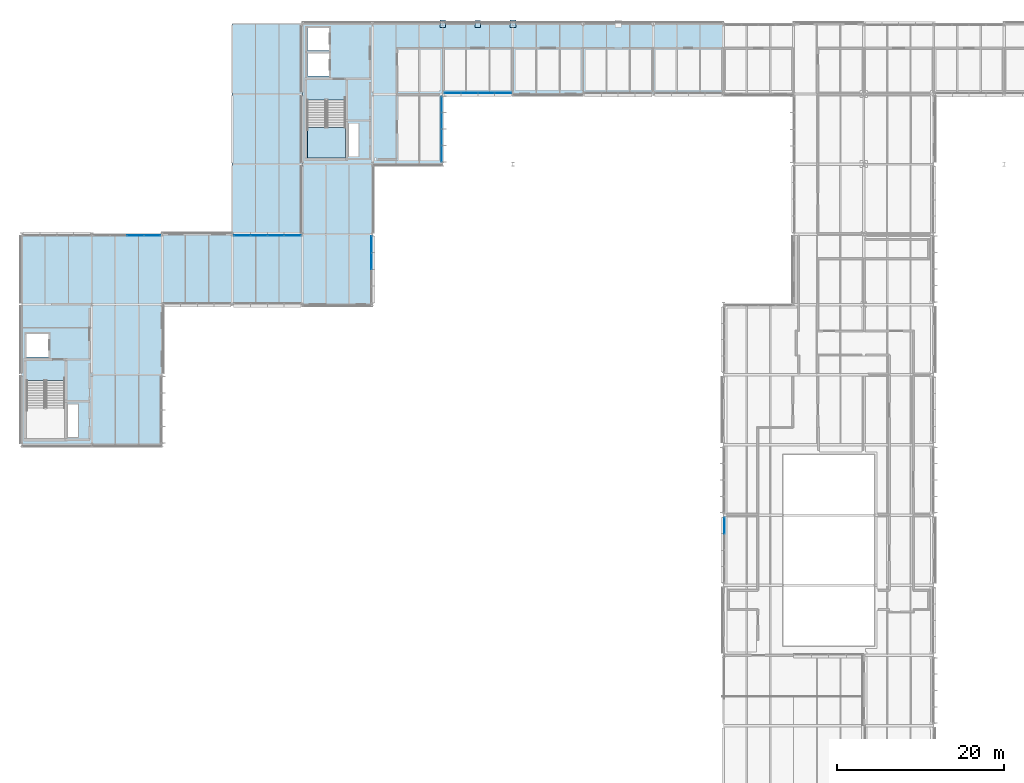
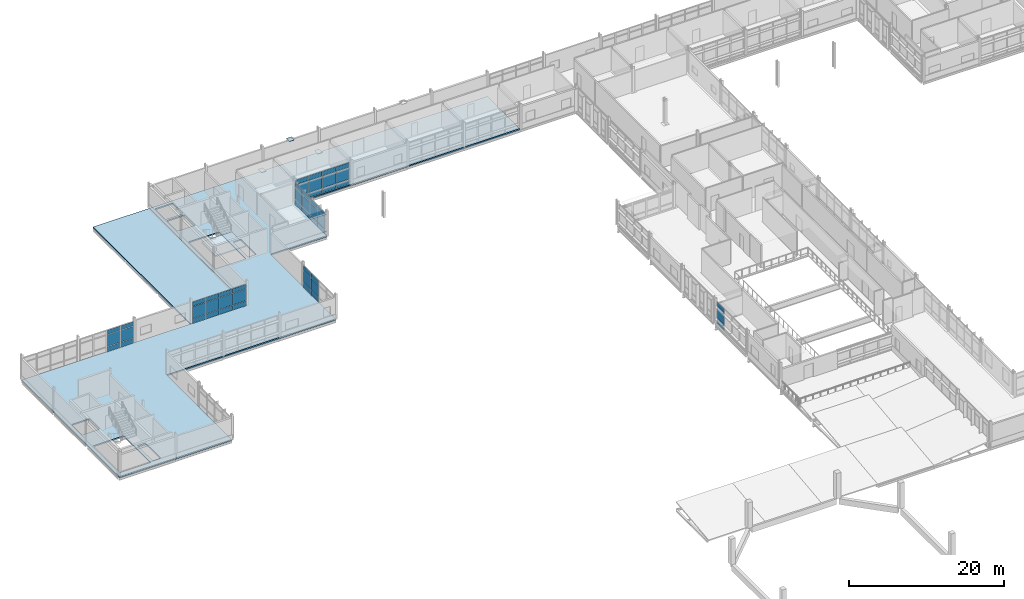
# One storey, part 98 of 131: 54 plates, 3 slabs, 7 elements without a shape of their own.
"""IFC4 building model written with IfcOpenShell, lengths in metres."""

from ifc_helpers import new_model, si_unit, direction, frame, origin, origin_2d, place, context, subcontext, project, spatial, polyline, rectangle, outline, extrude, material, layer, layer_set, type_object, element, aggregate, save


model = new_model("IFC4")

# Units and contexts
model_context = context("Model", 3, precision=1e-05, world=origin(), true_north=direction((0.0, 1.0)))
body_context = subcontext(model_context, "Body", "Model", "MODEL_VIEW")
ifc_project = project(units=[si_unit("LENGTHUNIT", "METRE"), si_unit("AREAUNIT", "SQUARE_METRE"), si_unit("VOLUMEUNIT", "CUBIC_METRE"), si_unit("PLANEANGLEUNIT", "RADIAN"), si_unit("MASSUNIT", "GRAM", prefix="KILO")], contexts=[model_context])

# Site, building, storey
site_placement = place(None, origin())
site = spatial("IfcSite", under=ifc_project, at=site_placement, CompositionType="ELEMENT")
building_placement = place(site_placement, origin())
building = spatial("IfcBuilding", under=site, at=building_placement, Name="Mersafa Astral City Hall", CompositionType="ELEMENT")
storey_placement = place(building_placement, frame((0.0, 0.0, 13.949951171875)))
storey = spatial("IfcBuildingStorey", under=building, at=storey_placement, Name="L03", CompositionType="ELEMENT", Elevation=13.949951171875)

# Curtain wall, plates
ifc_material_1 = material(Name="Anodised bronze aluminium framing", Category="aluminium")
curtain_wall_type_1 = type_object("IfcCurtainWallType", Name="ENV-CW-5", PredefinedType="USERDEFINED", material=ifc_material_1)
curtain_wall_1_placement = place(storey_placement, origin())
curtain_wall_1 = element("IfcCurtainWall", 1, at=curtain_wall_1_placement, inside=storey, type_object=curtain_wall_type_1, Name="L03 Unitised solar curtain wall 172", ObjectType="UNITISED CURTAIN WALL", PredefinedType="USERDEFINED")
ifc_material_2 = material(Name="Solar control low-e double glazing", Category="glass")
ifc_layer_1 = layer(ifc_material_2, 0.028076171875, Name="Solar control low-e double glazing")
ifc_layer_set_1 = layer_set([ifc_layer_1], Name="Solar control low-e double glazing — ENV-CW-PNL-GLZ-1")
plate_type_1 = type_object("IfcPlateType", Name="ENV-CW-PNL-GLZ-1", PredefinedType="CURTAIN_PANEL", material=ifc_layer_set_1)
plate_1_placement = place(storey_placement, frame((24.013427734375, 100.679931640625, 0.05810546875), z_axis=(0.0, 0.0, 1.0), x_axis=(-1.0, 0.0, 0.0)))
plate_1 = element("IfcPlate", 2, at=plate_1_placement, type_object=plate_type_1, Name="CW-5 panel 1.1", PredefinedType="CURTAIN_PANEL", context=body_context, shape_type="SweptSolid", body=[
    extrude(rectangle(XDim=1.928955078125, YDim=0.028076171875, at=origin_2d()), origin(), (0.0, 0.0, 1.0), 0.761962890625),
])
plate_2_placement = place(storey_placement, frame((24.013427734375, 100.679931640625, 0.8798828125), z_axis=(0.0, 0.0, 1.0), x_axis=(-1.0, 0.0, 0.0)))
plate_2 = element("IfcPlate", 3, at=plate_2_placement, type_object=plate_type_1, Name="CW-5 panel 1.2", PredefinedType="CURTAIN_PANEL", context=body_context, shape_type="SweptSolid", body=[
    extrude(rectangle(XDim=1.928955078125, YDim=0.028076171875, at=origin_2d()), origin(), (0.0, 0.0, 1.0), 1.840087890625),
])
plate_3_placement = place(storey_placement, frame((24.013427734375, 100.679931640625, 2.780029296875), z_axis=(0.0, 0.0, 1.0), x_axis=(-1.0, 0.0, 0.0)))
plate_3 = element("IfcPlate", 4, at=plate_3_placement, type_object=plate_type_1, Name="CW-5 panel 1.3", PredefinedType="CURTAIN_PANEL", context=body_context, shape_type="SweptSolid", body=[
    extrude(rectangle(XDim=1.928955078125, YDim=0.028076171875, at=origin_2d()), origin(), (0.0, 0.0, 1.0), 0.662109375),
])
plate_4_placement = place(storey_placement, frame((22.009521484375, 100.679931640625, 0.05810546875), z_axis=(0.0, 0.0, 1.0), x_axis=(-1.0, 0.0, 0.0)))
plate_4 = element("IfcPlate", 5, at=plate_4_placement, type_object=plate_type_1, Name="CW-5 panel 2.1", PredefinedType="CURTAIN_PANEL", context=body_context, shape_type="SweptSolid", body=[
    extrude(rectangle(XDim=1.958984375, YDim=0.028076171875, at=origin_2d()), origin(), (0.0, 0.0, 1.0), 0.761962890625),
])
plate_5_placement = place(storey_placement, frame((22.009521484375, 100.679931640625, 0.8798828125), z_axis=(0.0, 0.0, 1.0), x_axis=(-1.0, 0.0, 0.0)))
plate_5 = element("IfcPlate", 6, at=plate_5_placement, type_object=plate_type_1, Name="CW-5 panel 2.2", PredefinedType="CURTAIN_PANEL", context=body_context, shape_type="SweptSolid", body=[
    extrude(rectangle(XDim=1.958984375, YDim=0.028076171875, at=origin_2d()), origin(), (0.0, 0.0, 1.0), 1.840087890625),
])
plate_6_placement = place(storey_placement, frame((22.009521484375, 100.679931640625, 2.780029296875), z_axis=(0.0, 0.0, 1.0), x_axis=(-1.0, 0.0, 0.0)))
plate_6 = element("IfcPlate", 7, at=plate_6_placement, type_object=plate_type_1, Name="CW-5 panel 2.3", PredefinedType="CURTAIN_PANEL", context=body_context, shape_type="SweptSolid", body=[
    extrude(rectangle(XDim=1.958984375, YDim=0.028076171875, at=origin_2d()), origin(), (0.0, 0.0, 1.0), 0.662109375),
])
aggregate(curtain_wall_1, [plate_1, plate_2, plate_3, plate_4, plate_5, plate_6])

curtain_wall_type_2 = type_object("IfcCurtainWallType", Name="ENV-CW-4", PredefinedType="USERDEFINED", material=ifc_material_1)
curtain_wall_2_placement = place(storey_placement, origin())
curtain_wall_2 = element("IfcCurtainWall", 8, at=curtain_wall_2_placement, inside=storey, type_object=curtain_wall_type_2, Name="L03 Unitised solar curtain wall 177", ObjectType="UNITISED CURTAIN WALL", PredefinedType="USERDEFINED")
ifc_layer_2 = layer(ifc_material_2, 0.031982421875, Name="Solar control low-e double glazing")
ifc_layer_set_2 = layer_set([ifc_layer_2], Name="Solar control low-e double glazing — ENV-CW-PNL-GLZ-2")
plate_type_2 = type_object("IfcPlateType", Name="ENV-CW-PNL-GLZ-2", PredefinedType="CURTAIN_PANEL", material=ifc_layer_set_2)
plate_7_placement = place(storey_placement, frame((50.280029296875, 97.59814453125, 0.05810546875), z_axis=(0.0, 0.0, 1.0), x_axis=(0.0, 1.0, 0.0)))
plate_7 = element("IfcPlate", 9, at=plate_7_placement, type_object=plate_type_2, Name="CW-4 panel 3.1", PredefinedType="CURTAIN_PANEL", context=body_context, shape_type="SweptSolid", body=[
    extrude(rectangle(XDim=1.946533203125, YDim=0.031982421875, at=origin_2d()), origin(), (0.0, 0.0, 1.0), 0.761962890625),
])
plate_8_placement = place(storey_placement, frame((50.280029296875, 97.59814453125, 0.8798828125), z_axis=(0.0, 0.0, 1.0), x_axis=(0.0, 1.0, 0.0)))
plate_8 = element("IfcPlate", 10, at=plate_8_placement, type_object=plate_type_2, Name="CW-4 panel 3.2", PredefinedType="CURTAIN_PANEL", context=body_context, shape_type="SweptSolid", body=[
    extrude(rectangle(XDim=1.946533203125, YDim=0.031982421875, at=origin_2d()), origin(), (0.0, 0.0, 1.0), 1.840087890625),
])
plate_9_placement = place(storey_placement, frame((50.280029296875, 97.59814453125, 2.780029296875), z_axis=(0.0, 0.0, 1.0), x_axis=(0.0, 1.0, 0.0)))
plate_9 = element("IfcPlate", 11, at=plate_9_placement, type_object=plate_type_2, Name="CW-4 panel 3.3", PredefinedType="CURTAIN_PANEL", context=body_context, shape_type="SweptSolid", body=[
    extrude(rectangle(XDim=1.946533203125, YDim=0.031982421875, at=origin_2d()), origin(), (0.0, 0.0, 1.0), 0.751953125),
])
plate_10_placement = place(storey_placement, frame((50.280029296875, 99.58984375, 0.05810546875), z_axis=(0.0, 0.0, 1.0), x_axis=(0.0, 1.0, 0.0)))
plate_10 = element("IfcPlate", 12, at=plate_10_placement, type_object=plate_type_2, Name="CW-4 panel 4.1", PredefinedType="CURTAIN_PANEL", context=body_context, shape_type="SweptSolid", body=[
    extrude(rectangle(XDim=1.91650390625, YDim=0.031982421875, at=origin_2d()), origin(), (0.0, 0.0, 1.0), 0.761962890625),
])
plate_11_placement = place(storey_placement, frame((50.280029296875, 99.58984375, 0.8798828125), z_axis=(0.0, 0.0, 1.0), x_axis=(0.0, 1.0, 0.0)))
plate_11 = element("IfcPlate", 13, at=plate_11_placement, type_object=plate_type_2, Name="CW-4 panel 4.2", PredefinedType="CURTAIN_PANEL", context=body_context, shape_type="SweptSolid", body=[
    extrude(rectangle(XDim=1.91650390625, YDim=0.031982421875, at=origin_2d()), origin(), (0.0, 0.0, 1.0), 1.840087890625),
])
plate_12_placement = place(storey_placement, frame((50.280029296875, 99.58984375, 2.780029296875), z_axis=(0.0, 0.0, 1.0), x_axis=(0.0, 1.0, 0.0)))
plate_12 = element("IfcPlate", 14, at=plate_12_placement, type_object=plate_type_2, Name="CW-4 panel 4.3", PredefinedType="CURTAIN_PANEL", context=body_context, shape_type="SweptSolid", body=[
    extrude(rectangle(XDim=1.91650390625, YDim=0.031982421875, at=origin_2d()), origin(), (0.0, 0.0, 1.0), 0.751953125),
])
aggregate(curtain_wall_2, [plate_7, plate_8, plate_9, plate_10, plate_11, plate_12])

curtain_wall_3_placement = place(storey_placement, origin())
curtain_wall_3 = element("IfcCurtainWall", 15, at=curtain_wall_3_placement, inside=storey, type_object=curtain_wall_type_1, Name="L03 Unitised solar curtain wall 178", ObjectType="UNITISED CURTAIN WALL", PredefinedType="USERDEFINED")
ifc_layer_3 = layer(ifc_material_2, 0.035888671875, Name="Solar control low-e double glazing")
ifc_layer_set_3 = layer_set([ifc_layer_3], Name="Solar control low-e double glazing — ENV-CW-PNL-GLZ-3")
plate_type_3 = type_object("IfcPlateType", Name="ENV-CW-PNL-GLZ-3", PredefinedType="CURTAIN_PANEL", material=ifc_layer_set_3)
plate_13_placement = place(storey_placement, frame((58.679931640625, 110.44287109375, 0.05810546875), z_axis=(0.0, 0.0, 1.0), x_axis=(0.0, 1.0, 0.0)))
plate_13 = element("IfcPlate", 16, at=plate_13_placement, type_object=plate_type_3, Name="CW-5 panel 1.1", PredefinedType="CURTAIN_PANEL", context=body_context, shape_type="SweptSolid", body=[
    extrude(rectangle(XDim=1.8916015625, YDim=0.035888671875, at=origin_2d()), origin(), (0.0, 0.0, 1.0), 0.761962890625),
])
plate_14_placement = place(storey_placement, frame((58.679931640625, 110.44287109375, 0.8798828125), z_axis=(0.0, 0.0, 1.0), x_axis=(0.0, 1.0, 0.0)))
plate_14 = element("IfcPlate", 17, at=plate_14_placement, type_object=plate_type_3, Name="CW-5 panel 1.2", PredefinedType="CURTAIN_PANEL", context=body_context, shape_type="SweptSolid", body=[
    extrude(rectangle(XDim=1.8916015625, YDim=0.035888671875, at=origin_2d()), origin(), (0.0, 0.0, 1.0), 1.840087890625),
])
plate_15_placement = place(storey_placement, frame((58.679931640625, 110.44287109375, 2.780029296875), z_axis=(0.0, 0.0, 1.0), x_axis=(0.0, 1.0, 0.0)))
plate_15 = element("IfcPlate", 18, at=plate_15_placement, type_object=plate_type_3, Name="CW-5 panel 1.3", PredefinedType="CURTAIN_PANEL", context=body_context, shape_type="SweptSolid", body=[
    extrude(rectangle(XDim=1.8916015625, YDim=0.035888671875, at=origin_2d()), origin(), (0.0, 0.0, 1.0), 0.662109375),
])
plate_16_placement = place(storey_placement, frame((58.679931640625, 112.4091796875, 0.05810546875), z_axis=(0.0, 0.0, 1.0), x_axis=(0.0, 1.0, 0.0)))
plate_16 = element("IfcPlate", 19, at=plate_16_placement, type_object=plate_type_3, Name="CW-5 panel 2.1", PredefinedType="CURTAIN_PANEL", context=body_context, shape_type="SweptSolid", body=[
    extrude(rectangle(XDim=1.92138671875, YDim=0.035888671875, at=origin_2d()), origin(), (0.0, 0.0, 1.0), 0.761962890625),
])
plate_17_placement = place(storey_placement, frame((58.679931640625, 112.4091796875, 0.8798828125), z_axis=(0.0, 0.0, 1.0), x_axis=(0.0, 1.0, 0.0)))
plate_17 = element("IfcPlate", 20, at=plate_17_placement, type_object=plate_type_3, Name="CW-5 panel 2.2", PredefinedType="CURTAIN_PANEL", context=body_context, shape_type="SweptSolid", body=[
    extrude(rectangle(XDim=1.92138671875, YDim=0.035888671875, at=origin_2d()), origin(), (0.0, 0.0, 1.0), 1.840087890625),
])
plate_18_placement = place(storey_placement, frame((58.679931640625, 112.4091796875, 2.780029296875), z_axis=(0.0, 0.0, 1.0), x_axis=(0.0, 1.0, 0.0)))
plate_18 = element("IfcPlate", 21, at=plate_18_placement, type_object=plate_type_3, Name="CW-5 panel 2.3", PredefinedType="CURTAIN_PANEL", context=body_context, shape_type="SweptSolid", body=[
    extrude(rectangle(XDim=1.92138671875, YDim=0.035888671875, at=origin_2d()), origin(), (0.0, 0.0, 1.0), 0.662109375),
])
plate_19_placement = place(storey_placement, frame((58.679931640625, 114.390869140625, 0.05810546875), z_axis=(0.0, 0.0, 1.0), x_axis=(0.0, 1.0, 0.0)))
plate_19 = element("IfcPlate", 22, at=plate_19_placement, type_object=plate_type_3, Name="CW-5 panel 3.1", PredefinedType="CURTAIN_PANEL", context=body_context, shape_type="SweptSolid", body=[
    extrude(rectangle(XDim=1.92138671875, YDim=0.035888671875, at=origin_2d()), origin(), (0.0, 0.0, 1.0), 0.761962890625),
])
plate_20_placement = place(storey_placement, frame((58.679931640625, 114.390869140625, 0.8798828125), z_axis=(0.0, 0.0, 1.0), x_axis=(0.0, 1.0, 0.0)))
plate_20 = element("IfcPlate", 23, at=plate_20_placement, type_object=plate_type_3, Name="CW-5 panel 3.2", PredefinedType="CURTAIN_PANEL", context=body_context, shape_type="SweptSolid", body=[
    extrude(rectangle(XDim=1.92138671875, YDim=0.035888671875, at=origin_2d()), origin(), (0.0, 0.0, 1.0), 1.840087890625),
])
plate_21_placement = place(storey_placement, frame((58.679931640625, 114.390869140625, 2.780029296875), z_axis=(0.0, 0.0, 1.0), x_axis=(0.0, 1.0, 0.0)))
plate_21 = element("IfcPlate", 24, at=plate_21_placement, type_object=plate_type_3, Name="CW-5 panel 3.3", PredefinedType="CURTAIN_PANEL", context=body_context, shape_type="SweptSolid", body=[
    extrude(rectangle(XDim=1.92138671875, YDim=0.035888671875, at=origin_2d()), origin(), (0.0, 0.0, 1.0), 0.662109375),
])
plate_22_placement = place(storey_placement, frame((58.679931640625, 116.357177734375, 0.05810546875), z_axis=(0.0, 0.0, 1.0), x_axis=(0.0, 1.0, 0.0)))
plate_22 = element("IfcPlate", 25, at=plate_22_placement, type_object=plate_type_3, Name="CW-5 panel 4.1", PredefinedType="CURTAIN_PANEL", context=body_context, shape_type="SweptSolid", body=[
    extrude(rectangle(XDim=1.8916015625, YDim=0.035888671875, at=origin_2d()), origin(), (0.0, 0.0, 1.0), 0.761962890625),
])
plate_23_placement = place(storey_placement, frame((58.679931640625, 116.357177734375, 0.8798828125), z_axis=(0.0, 0.0, 1.0), x_axis=(0.0, 1.0, 0.0)))
plate_23 = element("IfcPlate", 26, at=plate_23_placement, type_object=plate_type_3, Name="CW-5 panel 4.2", PredefinedType="CURTAIN_PANEL", context=body_context, shape_type="SweptSolid", body=[
    extrude(rectangle(XDim=1.8916015625, YDim=0.035888671875, at=origin_2d()), origin(), (0.0, 0.0, 1.0), 1.840087890625),
])
plate_24_placement = place(storey_placement, frame((58.679931640625, 116.357177734375, 2.780029296875), z_axis=(0.0, 0.0, 1.0), x_axis=(0.0, 1.0, 0.0)))
plate_24 = element("IfcPlate", 27, at=plate_24_placement, type_object=plate_type_3, Name="CW-5 panel 4.3", PredefinedType="CURTAIN_PANEL", context=body_context, shape_type="SweptSolid", body=[
    extrude(rectangle(XDim=1.8916015625, YDim=0.035888671875, at=origin_2d()), origin(), (0.0, 0.0, 1.0), 0.662109375),
])
aggregate(curtain_wall_3, [plate_13, plate_14, plate_15, plate_16, plate_17, plate_18, plate_19, plate_20, plate_21, plate_22, plate_23, plate_24])

curtain_wall_4_placement = place(storey_placement, origin())
curtain_wall_4 = element("IfcCurtainWall", 28, at=curtain_wall_4_placement, inside=storey, type_object=curtain_wall_type_2, Name="L03 Unitised solar curtain wall 171", ObjectType="UNITISED CURTAIN WALL", PredefinedType="USERDEFINED")
ifc_layer_4 = layer(ifc_material_2, 0.0400390625, Name="Solar control low-e double glazing")
ifc_layer_set_4 = layer_set([ifc_layer_4], Name="Solar control low-e double glazing — ENV-CW-PNL-GLZ-4")
plate_type_4 = type_object("IfcPlateType", Name="ENV-CW-PNL-GLZ-4", PredefinedType="CURTAIN_PANEL", material=ifc_layer_set_4)
plate_25_placement = place(storey_placement, frame((40.8134765625, 100.679931640625, 0.05810546875), z_axis=(0.0, 0.0, 1.0), x_axis=(-1.0, 0.0, 0.0)))
plate_25 = element("IfcPlate", 29, at=plate_25_placement, type_object=plate_type_4, Name="CW-4 panel 1.1", PredefinedType="CURTAIN_PANEL", context=body_context, shape_type="SweptSolid", body=[
    extrude(rectangle(XDim=1.928955078125, YDim=0.0400390625, at=origin_2d()), origin(), (0.0, 0.0, 1.0), 0.761962890625),
])
plate_26_placement = place(storey_placement, frame((40.8134765625, 100.679931640625, 0.8798828125), z_axis=(0.0, 0.0, 1.0), x_axis=(-1.0, 0.0, 0.0)))
plate_26 = element("IfcPlate", 30, at=plate_26_placement, type_object=plate_type_4, Name="CW-4 panel 1.2", PredefinedType="CURTAIN_PANEL", context=body_context, shape_type="SweptSolid", body=[
    extrude(rectangle(XDim=1.928955078125, YDim=0.0400390625, at=origin_2d()), origin(), (0.0, 0.0, 1.0), 1.840087890625),
])
plate_27_placement = place(storey_placement, frame((40.8134765625, 100.679931640625, 2.780029296875), z_axis=(0.0, 0.0, 1.0), x_axis=(-1.0, 0.0, 0.0)))
plate_27 = element("IfcPlate", 31, at=plate_27_placement, type_object=plate_type_4, Name="CW-4 panel 1.3", PredefinedType="CURTAIN_PANEL", context=body_context, shape_type="SweptSolid", body=[
    extrude(rectangle(XDim=1.928955078125, YDim=0.0400390625, at=origin_2d()), origin(), (0.0, 0.0, 1.0), 0.662109375),
])
plate_28_placement = place(storey_placement, frame((38.8095703125, 100.679931640625, 0.05810546875), z_axis=(0.0, 0.0, 1.0), x_axis=(-1.0, 0.0, 0.0)))
plate_28 = element("IfcPlate", 32, at=plate_28_placement, type_object=plate_type_4, Name="CW-4 panel 2.1", PredefinedType="CURTAIN_PANEL", context=body_context, shape_type="SweptSolid", body=[
    extrude(rectangle(XDim=1.958984375, YDim=0.0400390625, at=origin_2d()), origin(), (0.0, 0.0, 1.0), 0.761962890625),
])
plate_29_placement = place(storey_placement, frame((38.8095703125, 100.679931640625, 0.8798828125), z_axis=(0.0, 0.0, 1.0), x_axis=(-1.0, 0.0, 0.0)))
plate_29 = element("IfcPlate", 33, at=plate_29_placement, type_object=plate_type_4, Name="CW-4 panel 2.2", PredefinedType="CURTAIN_PANEL", context=body_context, shape_type="SweptSolid", body=[
    extrude(rectangle(XDim=1.958984375, YDim=0.0400390625, at=origin_2d()), origin(), (0.0, 0.0, 1.0), 1.840087890625),
])
plate_30_placement = place(storey_placement, frame((38.8095703125, 100.679931640625, 2.780029296875), z_axis=(0.0, 0.0, 1.0), x_axis=(-1.0, 0.0, 0.0)))
plate_30 = element("IfcPlate", 34, at=plate_30_placement, type_object=plate_type_4, Name="CW-4 panel 2.3", PredefinedType="CURTAIN_PANEL", context=body_context, shape_type="SweptSolid", body=[
    extrude(rectangle(XDim=1.958984375, YDim=0.0400390625, at=origin_2d()), origin(), (0.0, 0.0, 1.0), 0.662109375),
])
plate_31_placement = place(storey_placement, frame((36.79052734375, 100.679931640625, 0.05810546875), z_axis=(0.0, 0.0, 1.0), x_axis=(-1.0, 0.0, 0.0)))
plate_31 = element("IfcPlate", 35, at=plate_31_placement, type_object=plate_type_4, Name="CW-4 panel 3.1", PredefinedType="CURTAIN_PANEL", context=body_context, shape_type="SweptSolid", body=[
    extrude(rectangle(XDim=1.958984375, YDim=0.0400390625, at=origin_2d()), origin(), (0.0, 0.0, 1.0), 0.761962890625),
])
plate_32_placement = place(storey_placement, frame((36.79052734375, 100.679931640625, 0.8798828125), z_axis=(0.0, 0.0, 1.0), x_axis=(-1.0, 0.0, 0.0)))
plate_32 = element("IfcPlate", 36, at=plate_32_placement, type_object=plate_type_4, Name="CW-4 panel 3.2", PredefinedType="CURTAIN_PANEL", context=body_context, shape_type="SweptSolid", body=[
    extrude(rectangle(XDim=1.958984375, YDim=0.0400390625, at=origin_2d()), origin(), (0.0, 0.0, 1.0), 1.840087890625),
])
plate_33_placement = place(storey_placement, frame((36.79052734375, 100.679931640625, 2.780029296875), z_axis=(0.0, 0.0, 1.0), x_axis=(-1.0, 0.0, 0.0)))
plate_33 = element("IfcPlate", 37, at=plate_33_placement, type_object=plate_type_4, Name="CW-4 panel 3.3", PredefinedType="CURTAIN_PANEL", context=body_context, shape_type="SweptSolid", body=[
    extrude(rectangle(XDim=1.958984375, YDim=0.0400390625, at=origin_2d()), origin(), (0.0, 0.0, 1.0), 0.662109375),
])
plate_34_placement = place(storey_placement, frame((34.78662109375, 100.679931640625, 0.05810546875), z_axis=(0.0, 0.0, 1.0), x_axis=(-1.0, 0.0, 0.0)))
plate_34 = element("IfcPlate", 38, at=plate_34_placement, type_object=plate_type_4, Name="CW-4 panel 4.1", PredefinedType="CURTAIN_PANEL", context=body_context, shape_type="SweptSolid", body=[
    extrude(rectangle(XDim=1.928955078125, YDim=0.0400390625, at=origin_2d()), origin(), (0.0, 0.0, 1.0), 0.761962890625),
])
plate_35_placement = place(storey_placement, frame((34.78662109375, 100.679931640625, 0.8798828125), z_axis=(0.0, 0.0, 1.0), x_axis=(-1.0, 0.0, 0.0)))
plate_35 = element("IfcPlate", 39, at=plate_35_placement, type_object=plate_type_4, Name="CW-4 panel 4.2", PredefinedType="CURTAIN_PANEL", context=body_context, shape_type="SweptSolid", body=[
    extrude(rectangle(XDim=1.928955078125, YDim=0.0400390625, at=origin_2d()), origin(), (0.0, 0.0, 1.0), 1.840087890625),
])
plate_36_placement = place(storey_placement, frame((34.78662109375, 100.679931640625, 2.780029296875), z_axis=(0.0, 0.0, 1.0), x_axis=(-1.0, 0.0, 0.0)))
plate_36 = element("IfcPlate", 40, at=plate_36_placement, type_object=plate_type_4, Name="CW-4 panel 4.3", PredefinedType="CURTAIN_PANEL", context=body_context, shape_type="SweptSolid", body=[
    extrude(rectangle(XDim=1.928955078125, YDim=0.0400390625, at=origin_2d()), origin(), (0.0, 0.0, 1.0), 0.662109375),
])
aggregate(curtain_wall_4, [plate_25, plate_26, plate_27, plate_28, plate_29, plate_30, plate_31, plate_32, plate_33, plate_34, plate_35, plate_36])

curtain_wall_type_3 = type_object("IfcCurtainWallType", Name="ENV-CW-6", PredefinedType="USERDEFINED", material=ifc_material_1)
curtain_wall_5_placement = place(storey_placement, origin())
curtain_wall_5 = element("IfcCurtainWall", 41, at=curtain_wall_5_placement, inside=storey, type_object=curtain_wall_type_3, Name="L03 Unitised solar curtain wall 179", ObjectType="UNITISED CURTAIN WALL", PredefinedType="USERDEFINED")
plate_37_placement = place(storey_placement, frame((59.986572265625, 117.719970703125, 0.05810546875), z_axis=(0.0, 0.0, 1.0), x_axis=(1.0, 0.0, 0.0)))
plate_37 = element("IfcPlate", 42, at=plate_37_placement, type_object=plate_type_4, Name="CW-6 panel 1.1", PredefinedType="CURTAIN_PANEL", context=body_context, shape_type="SweptSolid", body=[
    extrude(rectangle(XDim=1.928955078125, YDim=0.0400390625, at=origin_2d()), origin(), (0.0, 0.0, 1.0), 0.761962890625),
])
plate_38_placement = place(storey_placement, frame((59.986572265625, 117.719970703125, 0.8798828125), z_axis=(0.0, 0.0, 1.0), x_axis=(1.0, 0.0, 0.0)))
plate_38 = element("IfcPlate", 43, at=plate_38_placement, type_object=plate_type_4, Name="CW-6 panel 1.2", PredefinedType="CURTAIN_PANEL", context=body_context, shape_type="SweptSolid", body=[
    extrude(rectangle(XDim=1.928955078125, YDim=0.0400390625, at=origin_2d()), origin(), (0.0, 0.0, 1.0), 1.840087890625),
])
plate_39_placement = place(storey_placement, frame((59.986572265625, 117.719970703125, 2.780029296875), z_axis=(0.0, 0.0, 1.0), x_axis=(1.0, 0.0, 0.0)))
plate_39 = element("IfcPlate", 44, at=plate_39_placement, type_object=plate_type_4, Name="CW-6 panel 1.3", PredefinedType="CURTAIN_PANEL", context=body_context, shape_type="SweptSolid", body=[
    extrude(rectangle(XDim=1.928955078125, YDim=0.0400390625, at=origin_2d()), origin(), (0.0, 0.0, 1.0), 0.69189453125),
])
plate_40_placement = place(storey_placement, frame((61.990478515625, 117.719970703125, 0.05810546875), z_axis=(0.0, 0.0, 1.0), x_axis=(1.0, 0.0, 0.0)))
plate_40 = element("IfcPlate", 45, at=plate_40_placement, type_object=plate_type_4, Name="CW-6 panel 2.1", PredefinedType="CURTAIN_PANEL", context=body_context, shape_type="SweptSolid", body=[
    extrude(rectangle(XDim=1.958984375, YDim=0.0400390625, at=origin_2d()), origin(), (0.0, 0.0, 1.0), 0.761962890625),
])
plate_41_placement = place(storey_placement, frame((61.990478515625, 117.719970703125, 0.8798828125), z_axis=(0.0, 0.0, 1.0), x_axis=(1.0, 0.0, 0.0)))
plate_41 = element("IfcPlate", 46, at=plate_41_placement, type_object=plate_type_4, Name="CW-6 panel 2.2", PredefinedType="CURTAIN_PANEL", context=body_context, shape_type="SweptSolid", body=[
    extrude(rectangle(XDim=1.958984375, YDim=0.0400390625, at=origin_2d()), origin(), (0.0, 0.0, 1.0), 1.840087890625),
])
plate_42_placement = place(storey_placement, frame((61.990478515625, 117.719970703125, 2.780029296875), z_axis=(0.0, 0.0, 1.0), x_axis=(1.0, 0.0, 0.0)))
plate_42 = element("IfcPlate", 47, at=plate_42_placement, type_object=plate_type_4, Name="CW-6 panel 2.3", PredefinedType="CURTAIN_PANEL", context=body_context, shape_type="SweptSolid", body=[
    extrude(rectangle(XDim=1.958984375, YDim=0.0400390625, at=origin_2d()), origin(), (0.0, 0.0, 1.0), 0.69189453125),
])
plate_43_placement = place(storey_placement, frame((64.009521484375, 117.719970703125, 0.05810546875), z_axis=(0.0, 0.0, 1.0), x_axis=(1.0, 0.0, 0.0)))
plate_43 = element("IfcPlate", 48, at=plate_43_placement, type_object=plate_type_4, Name="CW-6 panel 3.1", PredefinedType="CURTAIN_PANEL", context=body_context, shape_type="SweptSolid", body=[
    extrude(rectangle(XDim=1.958984375, YDim=0.0400390625, at=origin_2d()), origin(), (0.0, 0.0, 1.0), 0.761962890625),
])
plate_44_placement = place(storey_placement, frame((64.009521484375, 117.719970703125, 0.8798828125), z_axis=(0.0, 0.0, 1.0), x_axis=(1.0, 0.0, 0.0)))
plate_44 = element("IfcPlate", 49, at=plate_44_placement, type_object=plate_type_4, Name="CW-6 panel 3.2", PredefinedType="CURTAIN_PANEL", context=body_context, shape_type="SweptSolid", body=[
    extrude(rectangle(XDim=1.958984375, YDim=0.0400390625, at=origin_2d()), origin(), (0.0, 0.0, 1.0), 1.840087890625),
])
plate_45_placement = place(storey_placement, frame((64.009521484375, 117.719970703125, 2.780029296875), z_axis=(0.0, 0.0, 1.0), x_axis=(1.0, 0.0, 0.0)))
plate_45 = element("IfcPlate", 50, at=plate_45_placement, type_object=plate_type_4, Name="CW-6 panel 3.3", PredefinedType="CURTAIN_PANEL", context=body_context, shape_type="SweptSolid", body=[
    extrude(rectangle(XDim=1.958984375, YDim=0.0400390625, at=origin_2d()), origin(), (0.0, 0.0, 1.0), 0.69189453125),
])
plate_46_placement = place(storey_placement, frame((66.013427734375, 117.719970703125, 0.05810546875), z_axis=(0.0, 0.0, 1.0), x_axis=(1.0, 0.0, 0.0)))
plate_46 = element("IfcPlate", 51, at=plate_46_placement, type_object=plate_type_4, Name="CW-6 panel 4.1", PredefinedType="CURTAIN_PANEL", context=body_context, shape_type="SweptSolid", body=[
    extrude(rectangle(XDim=1.928955078125, YDim=0.0400390625, at=origin_2d()), origin(), (0.0, 0.0, 1.0), 0.761962890625),
])
plate_47_placement = place(storey_placement, frame((66.013427734375, 117.719970703125, 0.8798828125), z_axis=(0.0, 0.0, 1.0), x_axis=(1.0, 0.0, 0.0)))
plate_47 = element("IfcPlate", 52, at=plate_47_placement, type_object=plate_type_4, Name="CW-6 panel 4.2", PredefinedType="CURTAIN_PANEL", context=body_context, shape_type="SweptSolid", body=[
    extrude(rectangle(XDim=1.928955078125, YDim=0.0400390625, at=origin_2d()), origin(), (0.0, 0.0, 1.0), 1.840087890625),
])
plate_48_placement = place(storey_placement, frame((66.013427734375, 117.719970703125, 2.780029296875), z_axis=(0.0, 0.0, 1.0), x_axis=(1.0, 0.0, 0.0)))
plate_48 = element("IfcPlate", 53, at=plate_48_placement, type_object=plate_type_4, Name="CW-6 panel 4.3", PredefinedType="CURTAIN_PANEL", context=body_context, shape_type="SweptSolid", body=[
    extrude(rectangle(XDim=1.928955078125, YDim=0.0400390625, at=origin_2d()), origin(), (0.0, 0.0, 1.0), 0.69189453125),
])
aggregate(curtain_wall_5, [plate_37, plate_38, plate_39, plate_40, plate_41, plate_42, plate_43, plate_44, plate_45, plate_46, plate_47, plate_48])

curtain_wall_type_4 = type_object("IfcCurtainWallType", Name="ENV-CW-2", PredefinedType="USERDEFINED", material=ifc_material_1)
curtain_wall_6_placement = place(storey_placement, origin())
curtain_wall_6 = element("IfcCurtainWall", 54, at=curtain_wall_6_placement, inside=storey, type_object=curtain_wall_type_4, Name="L03 Unitised solar curtain wall 187", ObjectType="UNITISED CURTAIN WALL", PredefinedType="USERDEFINED")
plate_49_placement = place(storey_placement, frame((92.52001953125, 65.919677734375, 0.05810546875), z_axis=(0.0, 0.0, 1.0), x_axis=(0.0, -1.0, 0.0)))
plate_49 = element("IfcPlate", 55, at=plate_49_placement, type_object=plate_type_4, Name="CW-2 panel 1.1", PredefinedType="CURTAIN_PANEL", context=body_context, shape_type="SweptSolid", body=[
    extrude(rectangle(XDim=1.866455078125, YDim=0.0400390625, at=origin_2d()), origin(), (0.0, 0.0, 1.0), 0.761962890625),
])
plate_50_placement = place(storey_placement, frame((92.52001953125, 65.919677734375, 0.8798828125), z_axis=(0.0, 0.0, 1.0), x_axis=(0.0, -1.0, 0.0)))
plate_50 = element("IfcPlate", 56, at=plate_50_placement, type_object=plate_type_4, Name="CW-2 panel 1.2", PredefinedType="CURTAIN_PANEL", context=body_context, shape_type="SweptSolid", body=[
    extrude(rectangle(XDim=1.866455078125, YDim=0.0400390625, at=origin_2d()), origin(), (0.0, 0.0, 1.0), 1.840087890625),
])
plate_51_placement = place(storey_placement, frame((92.52001953125, 65.919677734375, 2.780029296875), z_axis=(0.0, 0.0, 1.0), x_axis=(0.0, -1.0, 0.0)))
plate_51 = element("IfcPlate", 57, at=plate_51_placement, type_object=plate_type_4, Name="CW-2 panel 1.3", PredefinedType="CURTAIN_PANEL", context=body_context, shape_type="SweptSolid", body=[
    extrude(rectangle(XDim=1.866455078125, YDim=0.0400390625, at=origin_2d()), origin(), (0.0, 0.0, 1.0), 0.64697265625),
])
aggregate(curtain_wall_6, [plate_49, plate_50, plate_51])

# Stair, slab
ifc_material_3 = material(Name="Concrete C40/50", Category="concrete")
stair_type = type_object("IfcStairType", Name="STAIR", PredefinedType="HALF_TURN_STAIR", material=ifc_material_3)
stair_placement = place(storey_placement, origin())
stair = element("IfcStair", 58, at=stair_placement, inside=storey, type_object=stair_type, Name="L03 Protected Exit Stair ST3", PredefinedType="HALF_TURN_STAIR")
ifc_layer_5 = layer(ifc_material_3, 0.199951171875, Name="Concrete C40/50")
ifc_layer_set_5 = layer_set([ifc_layer_5], Name="Concrete C40/50 — STAIR-LANDING")
slab_type_1 = type_object("IfcSlabType", Name="STAIR-LANDING", PredefinedType="LANDING", material=ifc_layer_set_5)
slab_1_placement = place(storey_placement, frame((0.0, 0.0, 1.824951171875)))
slab_1 = element("IfcSlab", 59, at=slab_1_placement, type_object=slab_type_1, Name="ST3 landing 1", PredefinedType="LANDING", context=body_context, shape_type="SweptSolid", body=[
    extrude(outline(polyline([(42.580078125, 113.60009765625), (42.580078125, 109.949951171875), (47.139892578125, 109.949951171875), (47.139892578125, 113.60009765625), (42.580078125, 113.60009765625)])), origin(), (0.0, 0.0, 1.0), 0.2001953125),
])
aggregate(stair, [slab_1])

# Plates
ifc_material_4 = material(Name="Steel S355", Category="steel")
ifc_layer_6 = layer(ifc_material_4, 0.02392578125, Name="Steel S355")
ifc_layer_set_6 = layer_set([ifc_layer_6], Name="Steel S355 — STR-PLT-NP-31")
plate_type_5 = type_object("IfcPlateType", Name="STR-PLT-NP-31", PredefinedType="SHEET", material=ifc_layer_set_6)
plate_52_placement = place(storey_placement, frame((63.0, 126.0, 3.503173828125), z_axis=(0.0, 0.0, 1.0), x_axis=(1.0, 0.0, 0.0)))
element("IfcPlate", 60, at=plate_52_placement, inside=storey, type_object=plate_type_5, Name="L03 Structural steel brace gusset plate NP-31", PredefinedType="SHEET", context=body_context, shape_type="SweptSolid", body=[
    extrude(rectangle(XDim=0.68505859375, YDim=0.840087890625, at=origin_2d()), origin(), (0.0, 0.0, 1.0), 0.02392578125),
])
ifc_layer_7 = layer(ifc_material_4, 0.02490234375, Name="Steel S355")
ifc_layer_set_7 = layer_set([ifc_layer_7], Name="Steel S355 — STR-PLT-NP-32")
plate_type_6 = type_object("IfcPlateType", Name="STR-PLT-NP-32", PredefinedType="SHEET", material=ifc_layer_set_7)
plate_53_placement = place(storey_placement, frame((58.798095703125, 126.0, 0.107666015625), z_axis=(0.0, 0.0, 1.0), x_axis=(1.0, 0.0, 0.0)))
element("IfcPlate", 61, at=plate_53_placement, inside=storey, type_object=plate_type_6, Name="L03 Structural steel brace gusset plate NP-32", PredefinedType="SHEET", context=body_context, shape_type="SweptSolid", body=[
    extrude(rectangle(XDim=0.7099609375, YDim=0.8701171875, at=origin_2d()), origin(), (0.0, 0.0, 1.0), 0.02490234375),
])
ifc_layer_8 = layer(ifc_material_4, 0.02587890625, Name="Steel S355")
ifc_layer_set_8 = layer_set([ifc_layer_8], Name="Steel S355 — STR-PLT-NP-33")
plate_type_7 = type_object("IfcPlateType", Name="STR-PLT-NP-33", PredefinedType="SHEET", material=ifc_layer_set_8)
plate_54_placement = place(storey_placement, frame((67.201904296875, 126.0, 0.107177734375), z_axis=(0.0, 0.0, 1.0), x_axis=(1.0, 0.0, 0.0)))
element("IfcPlate", 62, at=plate_54_placement, inside=storey, type_object=plate_type_7, Name="L03 Structural steel brace gusset plate NP-33", PredefinedType="SHEET", context=body_context, shape_type="SweptSolid", body=[
    extrude(rectangle(XDim=0.735107421875, YDim=0.89990234375, at=origin_2d()), origin(), (0.0, 0.0, 1.0), 0.02587890625),
])

# Slabs
ifc_material_5 = material(Name="Concrete C35/45", Category="concrete")
ifc_layer_9 = layer(ifc_material_5, 0.199951171875, Name="Concrete C35/45")
ifc_layer_set_9 = layer_set([ifc_layer_9], Name="Concrete C35/45 — STR-SLAB-FLR-200")
slab_type_2 = type_object("IfcSlabType", Name="STR-SLAB-FLR-200", PredefinedType="FLOOR", material=ifc_layer_set_9)
slab_2_placement = place(storey_placement, frame((0.0, 0.0, -0.199951171875)))
element("IfcSlab", 63, at=slab_2_placement, inside=storey, type_object=slab_type_2, Name="L03 V4 structural floor slab 1", PredefinedType="FLOOR", context=body_context, shape_type="SweptSolid", body=[
    extrude(outline(polyline([(16.800048828125, 100.800048828125), (25.199951171875, 100.800048828125), (33.60009765625, 100.800048828125), (42.0, 100.800048828125), (42.0, 109.199951171875), (42.0, 117.60009765625), (42.0, 126.0), (50.39990234375, 126.0), (58.800048828125, 126.0), (67.199951171875, 126.0), (75.60009765625, 126.0), (84.0, 126.0), (92.39990234375, 126.0), (92.39990234375, 117.60009765625), (84.0, 117.60009765625), (75.60009765625, 117.60009765625), (67.199951171875, 117.60009765625), (58.800048828125, 117.60009765625), (58.800048828125, 109.199951171875), (50.39990234375, 109.199951171875), (50.39990234375, 100.800048828125), (50.39990234375, 92.39990234375), (42.0, 92.39990234375), (33.60009765625, 92.39990234375), (25.199951171875, 92.39990234375), (25.199951171875, 84.0), (25.199951171875, 75.60009765625), (16.800048828125, 75.60009765625), (8.39990234375, 75.60009765625), (8.39990234375, 84.0), (8.39990234375, 92.39990234375), (8.39990234375, 100.800048828125), (16.800048828125, 100.800048828125)]), holes=[polyline([(15.1298828125, 80.449951171875), (13.949951171875, 80.449951171875), (13.949951171875, 76.550048828125), (15.1298828125, 76.550048828125), (15.1298828125, 80.449951171875)]), polyline([(8.97998046875, 83.300048828125), (8.97998046875, 76.35009765625), (13.5400390625, 76.35009765625), (13.5400390625, 83.300048828125), (8.97998046875, 83.300048828125)]), polyline([(11.580078125, 86.14990234375), (11.580078125, 88.85009765625), (8.97998046875, 88.85009765625), (8.97998046875, 86.14990234375), (11.580078125, 86.14990234375)]), polyline([(48.72998046875, 114.050048828125), (47.550048828125, 114.050048828125), (47.550048828125, 110.14990234375), (48.72998046875, 110.14990234375), (48.72998046875, 114.050048828125)]), polyline([(42.580078125, 116.89990234375), (42.580078125, 109.949951171875), (47.139892578125, 109.949951171875), (47.139892578125, 116.89990234375), (42.580078125, 116.89990234375)]), polyline([(45.179931640625, 119.75), (45.179931640625, 122.449951171875), (42.580078125, 122.449951171875), (42.580078125, 119.75), (45.179931640625, 119.75)]), polyline([(45.179931640625, 125.5), (42.580078125, 125.5), (42.580078125, 122.800048828125), (45.179931640625, 122.800048828125), (45.179931640625, 125.5)])]), origin(), (0.0, 0.0, 1.0), 0.199951171875),
])
ifc_layer_10 = layer(ifc_material_3, 0.199951171875, Name="Concrete C40/50")
ifc_layer_set_10 = layer_set([ifc_layer_10], Name="Concrete C40/50 — STR-SLAB-ROOF-200")
slab_type_3 = type_object("IfcSlabType", Name="STR-SLAB-ROOF-200", PredefinedType="ROOF", material=ifc_layer_set_10)
slab_3_placement = place(storey_placement, frame((0.0, 0.0, -0.199951171875)))
element("IfcSlab", 64, at=slab_3_placement, inside=storey, type_object=slab_type_3, Name="L03 Flat structural wing roof slab 2", PredefinedType="ROOF", context=body_context, shape_type="SweptSolid", body=[
    extrude(outline(polyline([(33.60009765625, 109.199951171875), (33.60009765625, 117.60009765625), (33.60009765625, 126.0), (41.991943359375, 126.0), (41.991943359375, 100.80810546875), (33.60009765625, 100.80810546875), (33.60009765625, 109.199951171875)])), origin(), (0.0, 0.0, 1.0), 0.199951171875),
])

save(model, "model.ifc")
